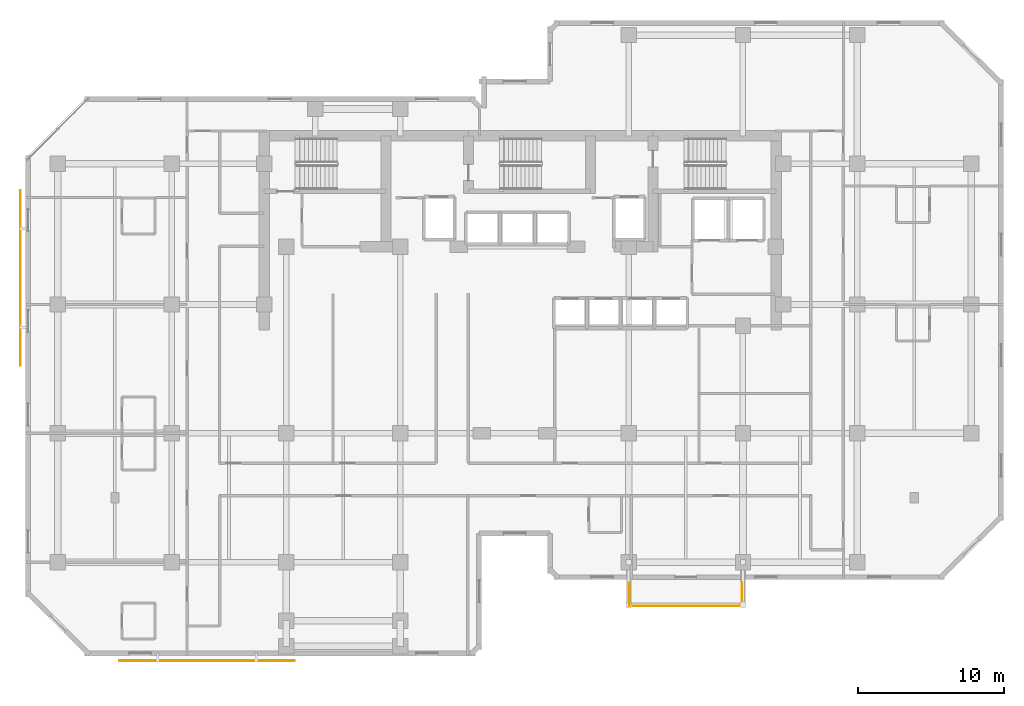
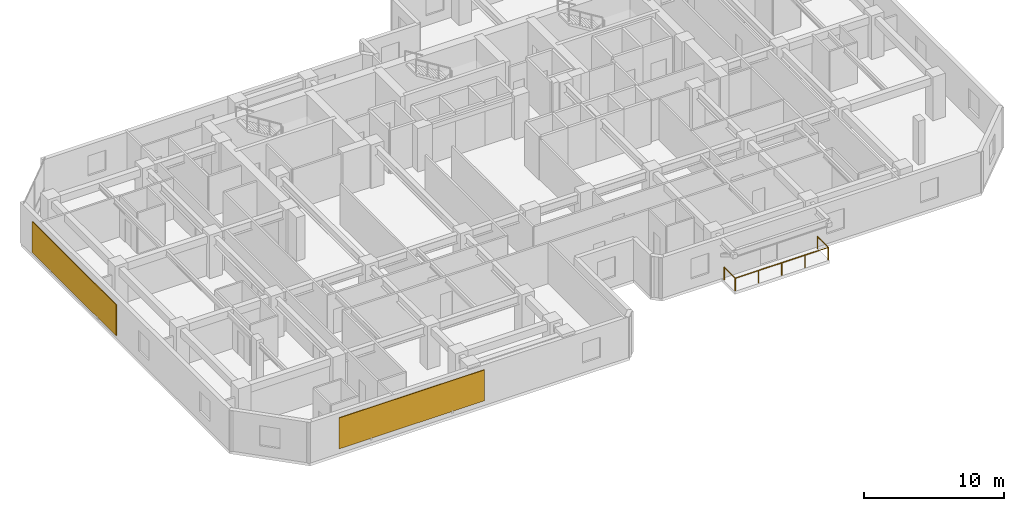
# One storey, part 10 of 11: 2 railings, 2 shading devices.
"""IFC4 building model written with IfcOpenShell, lengths in metres."""

from ifc_helpers import new_model, si_unit, direction, frame, origin, origin_2d, place, context, subcontext, project, spatial, rectangle, circle, extrude, material, layer, layer_set, type_object, element, save


model = new_model("IFC4")

# Units and contexts
model_context = context("Model", 3, precision=1e-05, world=origin(), true_north=direction((0.0, 1.0)))
body_context = subcontext(model_context, "Body", "Model", "MODEL_VIEW")
ifc_project = project(units=[si_unit("LENGTHUNIT", "METRE"), si_unit("AREAUNIT", "SQUARE_METRE"), si_unit("VOLUMEUNIT", "CUBIC_METRE"), si_unit("PLANEANGLEUNIT", "RADIAN"), si_unit("MASSUNIT", "GRAM", prefix="KILO")], contexts=[model_context])

# Site, building, storey
site_placement = place(None, origin())
site = spatial("IfcSite", under=ifc_project, at=site_placement, CompositionType="ELEMENT")
building_placement = place(site_placement, origin())
building = spatial("IfcBuilding", under=site, at=building_placement, Name="Kestravale Grand Hotel", CompositionType="ELEMENT")
storey_placement = place(building_placement, frame((0.0, 0.0, 157.39990234375)))
storey = spatial("IfcBuildingStorey", under=building, at=storey_placement, Name="L39", CompositionType="ELEMENT", Elevation=157.39990234375)

# Railings
ifc_material_1 = material(Name="Champagne-bronze stainless steel and laminated glass guard", Category="steel")
railing_type = type_object("IfcRailingType", Name="RL-EXT-1100", PredefinedType="GUARDRAIL", material=ifc_material_1)
railing_1_placement = place(storey_placement, frame((46.860107421875, 8.2099609375, 0.0)))
element("IfcRailing", 1, at=railing_1_placement, inside=storey, type_object=railing_type, Name="L39 outdoor terrace guard 1", PredefinedType="GUARDRAIL", context=body_context, shape_type="SweptSolid", body=[
    extrude(circle(Radius=0.02392578125, at=origin_2d()), frame((0.0, 0.0, 1.09619140625), z_axis=(0.0, 1.0, 0.0), x_axis=(-1.0, 0.0, 0.0)), (0.0, 0.0, 1.0), 1.570068359375),
    extrude(circle(Radius=0.02099609375, at=origin_2d()), origin(), (0.0, 0.0, 1.0), 1.072021484375),
    extrude(circle(Radius=0.02099609375, at=origin_2d()), frame((0.0, 1.570068359375, 0.0)), (0.0, 0.0, 1.0), 1.072021484375),
])
railing_2_placement = place(storey_placement, frame((54.5400390625, 9.780029296875, 0.0)))
element("IfcRailing", 2, at=railing_2_placement, inside=storey, type_object=railing_type, Name="L39 outdoor terrace guard 2", PredefinedType="GUARDRAIL", context=body_context, shape_type="SweptSolid", body=[
    extrude(circle(Radius=0.02392578125, at=origin_2d()), frame((0.0, 0.0, 1.09619140625), z_axis=(0.0, -1.0, 0.0), x_axis=(1.0, 0.0, 0.0)), (0.0, 0.0, 1.0), 1.570068359375),
    extrude(circle(Radius=0.02392578125, at=origin_2d()), frame((0.0, -1.570068359375, 1.09619140625), z_axis=(-1.0, 0.0, 0.0), x_axis=(0.0, -1.0, 0.0)), (0.0, 0.0, 1.0), 7.679931640625),
    extrude(circle(Radius=0.02099609375, at=origin_2d()), origin(), (0.0, 0.0, 1.0), 1.072021484375),
    extrude(circle(Radius=0.02099609375, at=origin_2d()), frame((0.0, -1.570068359375, 0.0)), (0.0, 0.0, 1.0), 1.072021484375),
    extrude(circle(Radius=0.02099609375, at=origin_2d()), frame((-1.919921875, -1.570068359375, 0.0)), (0.0, 0.0, 1.0), 1.072021484375),
    extrude(circle(Radius=0.02099609375, at=origin_2d()), frame((-3.83984375, -1.570068359375, 0.0)), (0.0, 0.0, 1.0), 1.072021484375),
    extrude(circle(Radius=0.02099609375, at=origin_2d()), frame((-5.760009765625, -1.570068359375, 0.0)), (0.0, 0.0, 1.0), 1.072021484375),
    extrude(circle(Radius=0.02099609375, at=origin_2d()), frame((-7.679931640625, -1.570068359375, 0.0)), (0.0, 0.0, 1.0), 1.072021484375),
])

# Shading devices
ifc_material_2 = material(Name="Perforated champagne-bronze aluminium and ceramic solar screen", Category="aluminium")
ifc_layer = layer(ifc_material_2, 0.06494140625)
ifc_layer_set = layer_set([ifc_layer], Name="SHD-SCR-CHEV")
shading_device_type = type_object("IfcShadingDeviceType", Name="SHD-SCR-CHEV", PredefinedType="USERDEFINED", material=ifc_layer_set)
for number, where, z_axis, x_axis, name in (
    (3, (18.0, 4.4599609375, 0.7001953125), (0.0, 0.0, 1.0), (1.0, 0.0, 0.0), "L39 Perforated bronze ceramic chevron solar screen SCR-L39-01"),
    (4, (5.260009765625, 30.60009765625, 0.7001953125), (0.0, 0.0, 1.0), (0.0, -1.0, 0.0), "L39 Perforated bronze ceramic chevron solar screen SCR-L39-19"),
):
    element("IfcShadingDevice", number, at=place(storey_placement, frame(where, z_axis=z_axis, x_axis=x_axis)), inside=storey, type_object=shading_device_type, Name=name, ObjectType="SCREEN", PredefinedType="USERDEFINED", context=body_context, shape_type="SweptSolid", body=[
        extrude(rectangle(XDim=12.0, YDim=0.06494140625, at=origin_2d()), origin(), (0.0, 0.0, 1.0), 2.699951171875),
    ])

save(model, "model.ifc")
